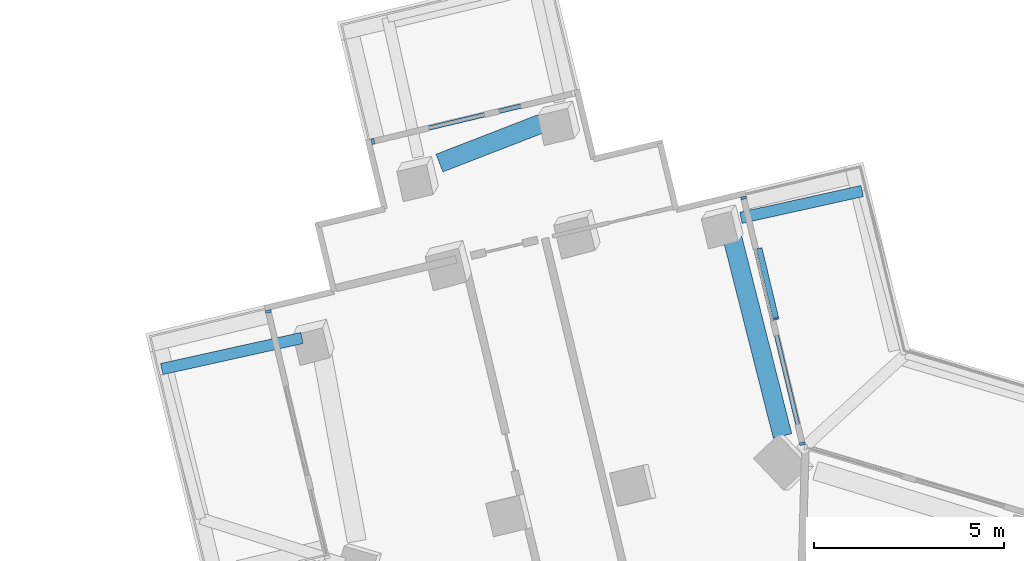
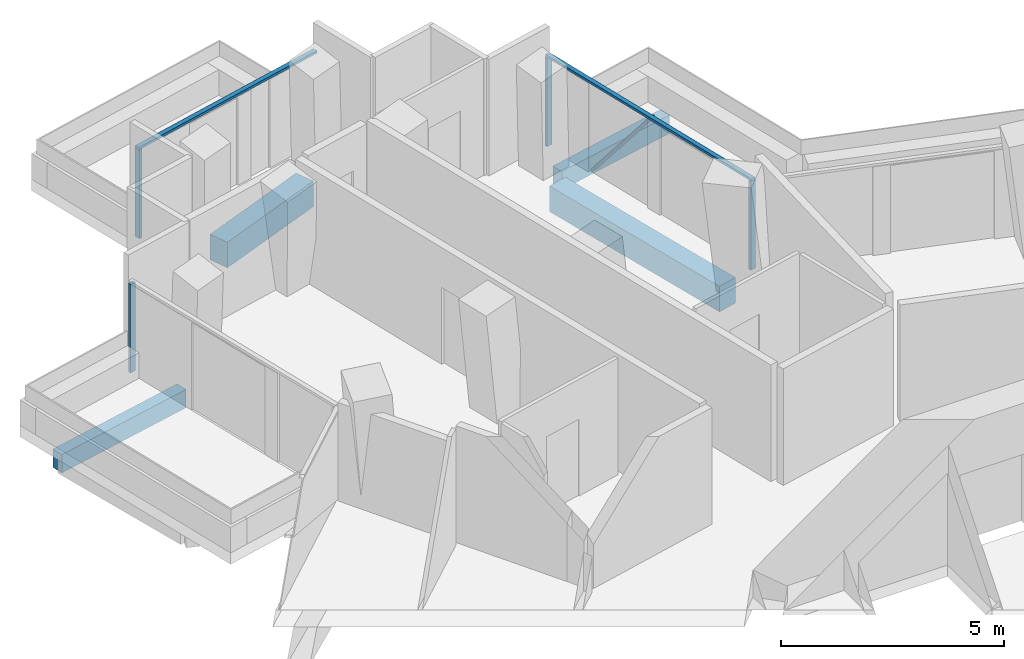
# One storey, part 8 of 27: 7 members, 4 beams, 3 elements without a shape of their own.
"""IFC4 building model written with IfcOpenShell, lengths in metres."""

from ifc_helpers import new_model, si_unit, direction, frame, origin, origin_2d, place, context, subcontext, project, spatial, rectangle, extrude, material, layer, layer_set, material_profile, profile_set, type_object, element, aggregate, save


model = new_model("IFC4")

# Units and contexts
model_context = context("Model", 3, precision=1e-05, world=origin(), true_north=direction((0.0, 1.0)))
body_context = subcontext(model_context, "Body", "Model", "MODEL_VIEW")
ifc_project = project(units=[si_unit("LENGTHUNIT", "METRE"), si_unit("AREAUNIT", "SQUARE_METRE"), si_unit("VOLUMEUNIT", "CUBIC_METRE"), si_unit("PLANEANGLEUNIT", "RADIAN"), si_unit("MASSUNIT", "GRAM", prefix="KILO")], contexts=[model_context])

# Site, building, storey
site_placement = place(None, origin())
site = spatial("IfcSite", under=ifc_project, at=site_placement, CompositionType="ELEMENT")
building_placement = place(site_placement, origin())
building = spatial("IfcBuilding", under=site, at=building_placement, Name="Verdalira Terraces Hotel", CompositionType="ELEMENT")
storey_placement = place(building_placement, frame((0.0, 0.0, 89.5)))
storey = spatial("IfcBuildingStorey", under=building, at=storey_placement, Name="L20", CompositionType="ELEMENT", Elevation=89.5)

# Beams
ifc_material_1 = material(Name="Concrete C40", Category="concrete")
ifc_material_profile_1 = material_profile(ifc_material_1, rectangle(XDim=0.300049, YDim=0.5, at=origin_2d()), Name="RC 300X500")
ifc_profile_set_1 = profile_set([ifc_material_profile_1], Name="Concrete C40")
beam_type_1 = type_object("IfcBeamType", Name="Balcony cantilever beam RC 300X500 C40", PredefinedType="BEAM", material=ifc_profile_set_1)
beam_1_placement = place(storey_placement, frame((-12.552979, 27.900146, -0.560059), z_axis=(-0.976378354, -0.216067836, 0.0), x_axis=(0.216067836, -0.976378354, 0.0)))
element("IfcBeam", 1, at=beam_1_placement, inside=storey, type_object=beam_type_1, Name="Balcony cantilever beam R10-1", PredefinedType="BEAM", context=body_context, shape_type="SweptSolid", body=[
    extrude(rectangle(XDim=0.300049, YDim=0.5, at=origin_2d()), origin(), (0.0, 0.0, 1.0), 3.776123),
])
beam_2_placement = place(storey_placement, frame((-1.010986, 31.05957, -0.560059), z_axis=(0.976381983, 0.216051436, 0.0), x_axis=(-0.216051436, 0.976381983, 0.0)))
element("IfcBeam", 2, at=beam_2_placement, inside=storey, type_object=beam_type_1, Name="Balcony cantilever beam R41-4", PredefinedType="BEAM", context=body_context, shape_type="SweptSolid", body=[
    extrude(rectangle(XDim=0.300049, YDim=0.5, at=origin_2d()), origin(), (0.0, 0.0, 1.0), 3.264648),
])

# Curtain wall, members
ifc_material_2 = material(Name="Clear glass", Category="glass")
ifc_layer_1 = layer(ifc_material_2, 0.14990234375)
ifc_layer_set_1 = layer_set([ifc_layer_1], Name="CW2 curtain wall")
curtain_wall_type_1 = type_object("IfcCurtainWallType", Name="CW2 curtain wall", PredefinedType="NOTDEFINED", material=ifc_layer_set_1)
curtain_wall_1_placement = place(storey_placement, origin())
curtain_wall_1 = element("IfcCurtainWall", 3, at=curtain_wall_1_placement, inside=storey, type_object=curtain_wall_type_1, Name="CW2 curtain wall L20 edge 0", PredefinedType="NOTDEFINED")
ifc_material_3 = material(Name="Terracotta frame", Category="masonry")
ifc_material_profile_2 = material_profile(ifc_material_3, rectangle(XDim=0.070068, YDim=0.149902, at=origin_2d()), Name="MU 70x150")
ifc_profile_set_2 = profile_set([ifc_material_profile_2], Name="Terracotta frame")
member_type_1 = type_object("IfcMemberType", Name="CW2 mullion 70x150", PredefinedType="MULLION", material=ifc_profile_set_2)
member_1_placement = place(storey_placement, frame((0.602539, 25.121338, 0.0), z_axis=(0.0, 0.0, 1.0), x_axis=(-0.232426973, 0.972613851, 0.0)))
member_1 = element("IfcMember", 4, at=member_1_placement, type_object=member_type_1, Name="CW2 mullion", PredefinedType="MULLION", context=body_context, shape_type="SweptSolid", body=[
    extrude(rectangle(XDim=0.070068, YDim=0.149902, at=origin_2d()), origin(), (0.0, 0.0, 1.0), 2.425049),
])
member_2_placement = place(storey_placement, frame((-0.941895, 31.584229, 0.0), z_axis=(0.0, 0.0, 1.0), x_axis=(-0.232426973, 0.972613851, 0.0)))
member_2 = element("IfcMember", 5, at=member_2_placement, type_object=member_type_1, Name="CW2 mullion", PredefinedType="MULLION", context=body_context, shape_type="SweptSolid", body=[
    extrude(rectangle(XDim=0.070068, YDim=0.149902, at=origin_2d()), origin(), (0.0, 0.0, 1.0), 2.425049),
])

# Curtain wall, member
curtain_wall_2_placement = place(storey_placement, origin())
curtain_wall_2 = element("IfcCurtainWall", 6, at=curtain_wall_2_placement, inside=storey, type_object=curtain_wall_type_1, Name="CW2 curtain wall L20 edge 10", PredefinedType="NOTDEFINED")
member_3_placement = place(storey_placement, frame((-13.439941, 28.597412, 0.0), z_axis=(0.0, 0.0, 1.0), x_axis=(0.232426973, -0.972613851, 0.0)))
member_3 = element("IfcMember", 7, at=member_3_placement, type_object=member_type_1, Name="CW2 mullion", PredefinedType="MULLION", context=body_context, shape_type="SweptSolid", body=[
    extrude(rectangle(XDim=0.070068, YDim=0.149902, at=origin_2d()), origin(), (0.0, 0.0, 1.0), 2.425049),
])
aggregate(curtain_wall_2, [member_3])

# Member
ifc_material_4 = material(Name="Terracotta frame", Category="masonry")
ifc_material_profile_3 = material_profile(ifc_material_4, rectangle(XDim=0.11499, YDim=0.064941, at=origin_2d()), Name="TR 65x115")
ifc_profile_set_3 = profile_set([ifc_material_profile_3], Name="Terracotta frame")
member_type_2 = type_object("IfcMemberType", Name="CW2 transom 65x115", PredefinedType="USERDEFINED", material=ifc_profile_set_3)
member_4_placement = place(storey_placement, frame((0.61084, 25.087402, 2.45752), z_axis=(-0.232444613, 0.972609635, 0.0), x_axis=(-0.972609635, -0.232444613, 0.0)))
member_4 = element("IfcMember", 8, at=member_4_placement, type_object=member_type_2, Name="CW2 transom", ObjectType="TRANSOM", PredefinedType="USERDEFINED", context=body_context, shape_type="SweptSolid", body=[
    extrude(rectangle(XDim=0.11499, YDim=0.064941, at=origin_2d()), origin(), (0.0, 0.0, 1.0), 6.7146),
])

# Curtain wall, members
ifc_material_5 = material(Name="Clear glass", Category="glass")
ifc_layer_2 = layer(ifc_material_5, 0.14990234375)
ifc_layer_set_2 = layer_set([ifc_layer_2], Name="CW3 curtain wall")
curtain_wall_type_2 = type_object("IfcCurtainWallType", Name="CW3 curtain wall", PredefinedType="NOTDEFINED", material=ifc_layer_set_2)
curtain_wall_3_placement = place(storey_placement, origin())
curtain_wall_3 = element("IfcCurtainWall", 9, at=curtain_wall_3_placement, inside=storey, type_object=curtain_wall_type_2, Name="CW3 curtain wall L20 edge 5", PredefinedType="NOTDEFINED")
ifc_material_6 = material(Name="Terracotta frame", Category="masonry")
ifc_material_profile_4 = material_profile(ifc_material_6, rectangle(XDim=0.080078, YDim=0.149902, at=origin_2d()), Name="MU 80x150")
ifc_profile_set_4 = profile_set([ifc_material_profile_4], Name="Terracotta frame")
member_type_3 = type_object("IfcMemberType", Name="CW3 mullion 80x150", PredefinedType="MULLION", material=ifc_profile_set_4)
member_5_placement = place(storey_placement, frame((-10.688965, 33.069336, 0.0), z_axis=(0.0, 0.0, 1.0), x_axis=(-0.972613851, -0.232426973, 0.0)))
member_5 = element("IfcMember", 10, at=member_5_placement, type_object=member_type_3, Name="CW3 mullion", PredefinedType="MULLION", context=body_context, shape_type="SweptSolid", body=[
    extrude(rectangle(XDim=0.080078, YDim=0.149902, at=origin_2d()), origin(), (0.0, 0.0, 1.0), 2.425049),
])
ifc_material_7 = material(Name="Terracotta frame", Category="masonry")
ifc_material_profile_5 = material_profile(ifc_material_7, rectangle(XDim=0.120117, YDim=0.064941, at=origin_2d()), Name="TR 65x120")
ifc_profile_set_5 = profile_set([ifc_material_profile_5], Name="Terracotta frame")
member_type_4 = type_object("IfcMemberType", Name="CW3 transom 65x120", PredefinedType="USERDEFINED", material=ifc_profile_set_5)
member_6_placement = place(storey_placement, frame((-5.378418, 34.338379, 2.45752), z_axis=(-0.972614895, -0.2324226, 0.0), x_axis=(0.2324226, -0.972614895, 0.0)))
member_6 = element("IfcMember", 11, at=member_6_placement, type_object=member_type_4, Name="CW3 transom", ObjectType="TRANSOM", PredefinedType="USERDEFINED", context=body_context, shape_type="SweptSolid", body=[
    extrude(rectangle(XDim=0.120117, YDim=0.064941, at=origin_2d()), origin(), (0.0, 0.0, 1.0), 5.5),
])
aggregate(curtain_wall_3, [member_5, member_6])

# Member
ifc_material_8 = material(Name="Terracotta frame", Category="masonry")
ifc_material_profile_6 = material_profile(ifc_material_8, rectangle(XDim=0.149902, YDim=0.060059, at=origin_2d()), Name="GB 60x150")
ifc_profile_set_6 = profile_set([ifc_material_profile_6], Name="Terracotta frame")
member_type_5 = type_object("IfcMemberType", Name="Diagonal glazing bar 60x150", PredefinedType="USERDEFINED", material=ifc_profile_set_6)
member_7_placement = place(storey_placement, frame((-0.088379, 28.404053, 2.394043), z_axis=(-0.144864167, 0.606199577, -0.782007958), x_axis=(-0.972613939, -0.232426602, 0.0)))
member_7 = element("IfcMember", 12, at=member_7_placement, type_object=member_type_5, Name="Diagonal glazing bar", ObjectType="GLAZING BAR", PredefinedType="USERDEFINED", context=body_context, shape_type="SweptSolid", body=[
    extrude(rectangle(XDim=0.149902, YDim=0.060059, at=origin_2d()), origin(), (0.0, 0.0, 1.0), 3.021729),
])

aggregate(curtain_wall_1, [member_1, member_2, member_4, member_7])

# Beams
ifc_material_9 = material(Name="Concrete C70", Category="concrete")
ifc_material_profile_7 = material_profile(ifc_material_9, rectangle(XDim=0.5, YDim=0.699951, at=origin_2d()), Name="RC 500X700")
ifc_profile_set_7 = profile_set([ifc_material_profile_7], Name="Concrete C70")
beam_type_2 = type_object("IfcBeamType", Name="Spandrel beam RC 500X700 C70", PredefinedType="SPANDREL", material=ifc_profile_set_7)
beam_3_placement = place(storey_placement, frame((0.081787, 25.324707, -0.659912), z_axis=(-0.24532841, 0.96944003, 0.0), x_axis=(-0.96944003, -0.24532841, 0.0)))
element("IfcBeam", 13, at=beam_3_placement, inside=storey, type_object=beam_type_2, Name="Spandrel beam B01", PredefinedType="SPANDREL", context=body_context, shape_type="SweptSolid", body=[
    extrude(rectangle(XDim=0.5, YDim=0.699951, at=origin_2d()), origin(), (0.0, 0.0, 1.0), 5.469482),
])
beam_4_placement = place(storey_placement, frame((-6.071045, 33.611816, -0.659912), z_axis=(-0.932424083, -0.361365922, 0.0), x_axis=(0.361365922, -0.932424083, 0.0)))
element("IfcBeam", 14, at=beam_4_placement, inside=storey, type_object=beam_type_2, Name="Spandrel beam B02", PredefinedType="SPANDREL", context=body_context, shape_type="SweptSolid", body=[
    extrude(rectangle(XDim=0.5, YDim=0.699951, at=origin_2d()), origin(), (0.0, 0.0, 1.0), 3.075928),
])

save(model, "model.ifc")
